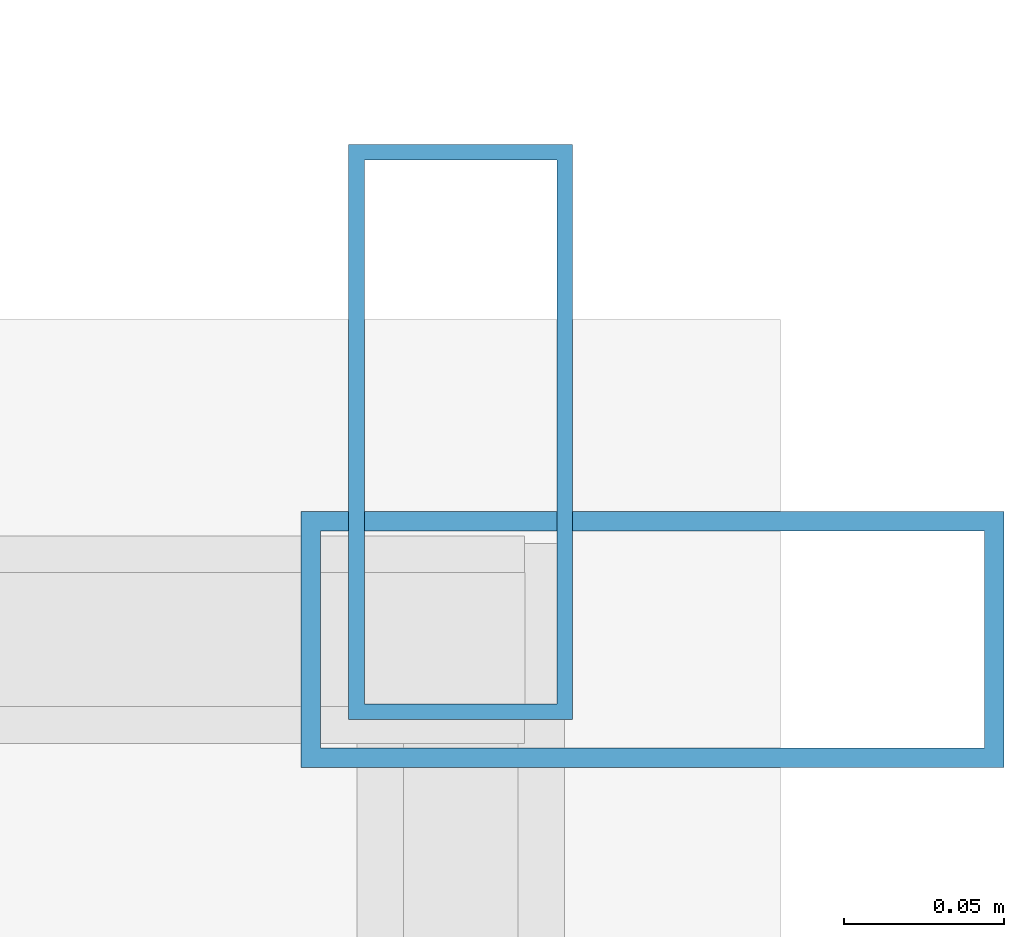
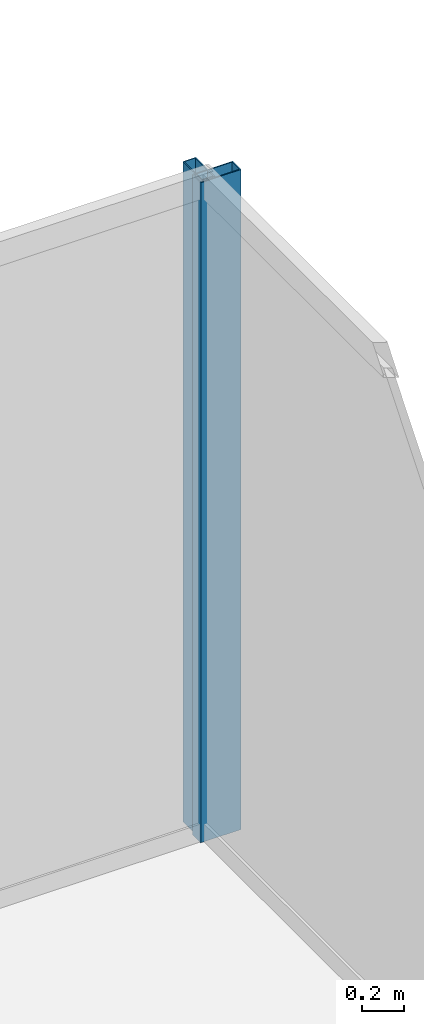
# One storey, part 26 of 33: 2 members, 2 elements without a shape of their own.
"""IFC4 building model written with IfcOpenShell, lengths in metres."""

from ifc_helpers import new_model, si_unit, direction, frame, origin, origin_2d, place, context, subcontext, project, spatial, hollow_rectangle, extrude, source, transform, mapped, material, layer, layer_set, material_profile, profile_set, type_object, type_shapes, element, aggregate, save


model = new_model("IFC4")

# Units and contexts
model_context = context("Model", 3, precision=1e-05, world=origin(), true_north=direction((0.0, 1.0)))
body_context = subcontext(model_context, "Body", "Model", "MODEL_VIEW")
ifc_project = project(units=[si_unit("LENGTHUNIT", "METRE"), si_unit("AREAUNIT", "SQUARE_METRE"), si_unit("VOLUMEUNIT", "CUBIC_METRE"), si_unit("PLANEANGLEUNIT", "RADIAN"), si_unit("MASSUNIT", "GRAM", prefix="KILO")], contexts=[model_context])

# Site, building, storey
site_placement = place(None, origin())
site = spatial("IfcSite", under=ifc_project, at=site_placement, CompositionType="ELEMENT")
building_placement = place(site_placement, origin())
building = spatial("IfcBuilding", under=site, at=building_placement, Name="Haelvirn Gate Laboratories", CompositionType="ELEMENT")
storey_placement = place(building_placement, frame((0.0, 0.0, 213.699951171875)))
storey = spatial("IfcBuildingStorey", under=building, at=storey_placement, Name="L51", CompositionType="ELEMENT", Elevation=213.699951171875)

# Curtain wall, member
ifc_material_1 = material(Name="Anodised bronze unitised aluminium & triple low-E glass", Category="aluminium")
ifc_layer_1 = layer(ifc_material_1, 0.176025390625, Name="CW-SYS-4")
ifc_layer_set_1 = layer_set([ifc_layer_1], Name="Anodised bronze unitised aluminium & triple low-E glass")
curtain_wall_type_1 = type_object("IfcCurtainWallType", Name="CW-SYS-4", PredefinedType="NOTDEFINED", material=ifc_layer_set_1)
curtain_wall_1_placement = place(storey_placement, origin())
curtain_wall_1 = element("IfcCurtainWall", 1, at=curtain_wall_1_placement, inside=storey, type_object=curtain_wall_type_1, Name="L51 Unitised Curtain Wall CW-L51-P0-E07", PredefinedType="NOTDEFINED")
ifc_material_2 = material(Name="Extruded aluminium 6063-T6 (anodised bronze)", Category="aluminium")
ifc_material_profile_1 = material_profile(ifc_material_2, hollow_rectangle(XDim=0.070068359375, YDim=0.179931640625, WallThickness=0.0048828125, at=origin_2d()), Name="CWM-180x70x5")
ifc_profile_set_1 = profile_set([ifc_material_profile_1], Name="Extruded aluminium 6063-T6 (anodised bronze)")
member_type_1 = type_object("IfcMemberType", Name="CWM-T180", PredefinedType="MULLION", material=ifc_profile_set_1)
shared_shape_1 = source(origin(), body_context, "Body", "SweptSolid", [
    extrude(hollow_rectangle(XDim=0.070068359375, YDim=0.179931640625, WallThickness=0.0048828125, at=origin_2d()), origin(), (0.0, 0.0, 1.0), 3.800048828125),
])
type_shapes(member_type_1, [shared_shape_1])
member_1_placement = place(storey_placement, frame((70.699951171875, 42.764892578125, 0.0), z_axis=(0.0, 0.0, 1.0), x_axis=(-1.0, 0.0, 0.0)))
member_1 = element("IfcMember", 2, at=member_1_placement, type_object=member_type_1, Name="CW4 mullion 3", PredefinedType="MULLION", context=body_context, shape_type="MappedRepresentation", body=[
    mapped(shared_shape_1, transform((0.0, 0.0, 0.0), scale=1.0)),
])
aggregate(curtain_wall_1, [member_1])

ifc_layer_2 = layer(ifc_material_1, 0.181884765625, Name="CW-SYS-5")
ifc_layer_set_2 = layer_set([ifc_layer_2], Name="Anodised bronze unitised aluminium & triple low-E glass")
curtain_wall_type_2 = type_object("IfcCurtainWallType", Name="CW-SYS-5", PredefinedType="NOTDEFINED", material=ifc_layer_set_2)
curtain_wall_2_placement = place(storey_placement, origin())
curtain_wall_2 = element("IfcCurtainWall", 3, at=curtain_wall_2_placement, inside=storey, type_object=curtain_wall_type_2, Name="L51 Unitised Curtain Wall CW-L51-P0-E08-1", PredefinedType="NOTDEFINED")
ifc_material_profile_2 = material_profile(ifc_material_2, hollow_rectangle(XDim=0.080078125, YDim=0.219970703125, WallThickness=0.006103515625, at=origin_2d()), Name="CWM-220x80x6")
ifc_profile_set_2 = profile_set([ifc_material_profile_2], Name="Extruded aluminium 6063-T6 (anodised bronze)")
member_type_2 = type_object("IfcMemberType", Name="CWM-T220", PredefinedType="MULLION", material=ifc_profile_set_2)
shared_shape_2 = source(origin(), body_context, "Body", "SweptSolid", [
    extrude(hollow_rectangle(XDim=0.080078125, YDim=0.219970703125, WallThickness=0.006103515625, at=origin_2d()), origin(), (0.0, 0.0, 1.0), 3.800048828125),
])
type_shapes(member_type_2, [shared_shape_2])
member_2_placement = place(storey_placement, frame((70.760009765625, 42.699951171875, 0.0), z_axis=(0.0, 0.0, 1.0), x_axis=(0.0, 1.0, 0.0)))
member_2 = element("IfcMember", 4, at=member_2_placement, type_object=member_type_2, Name="CW5 mullion 2", PredefinedType="MULLION", context=body_context, shape_type="MappedRepresentation", body=[
    mapped(shared_shape_2, transform((0.0, 0.0, 0.0), scale=1.0)),
])
aggregate(curtain_wall_2, [member_2])

save(model, "model.ifc")
